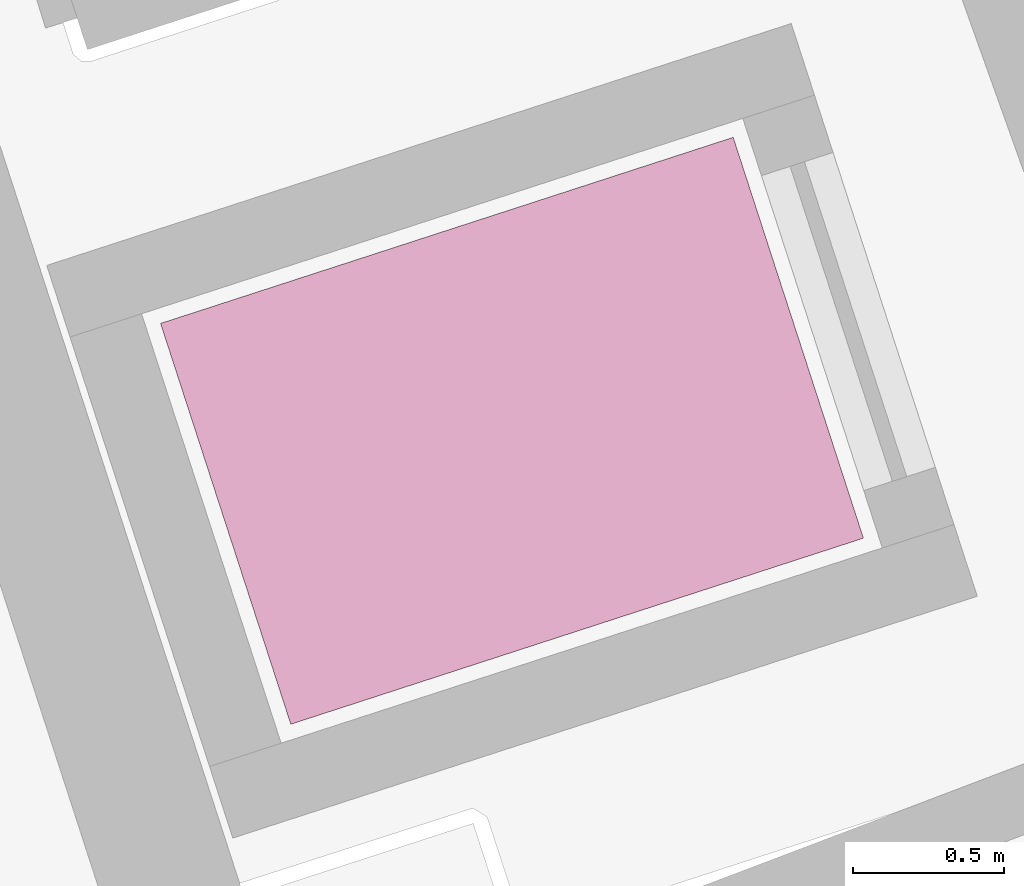
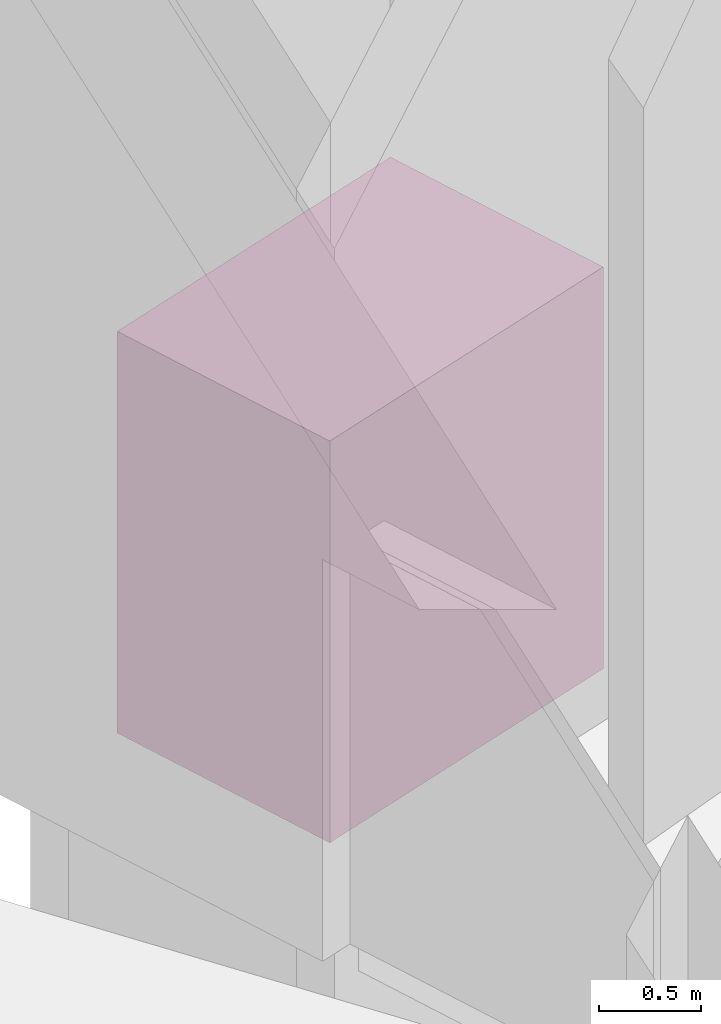
# One storey, part 72 of 72: 1 transport element.
"""IFC4 building model written with IfcOpenShell, lengths in metres."""

from ifc_helpers import new_model, si_unit, direction, frame, origin, origin_2d, place, context, subcontext, project, spatial, rectangle, extrude, material, type_object, element, save


model = new_model("IFC4")

# Units and contexts
model_context = context("Model", 3, precision=1e-05, world=origin(), true_north=direction((0.0, 1.0)))
body_context = subcontext(model_context, "Body", "Model", "MODEL_VIEW")
ifc_project = project(units=[si_unit("LENGTHUNIT", "METRE"), si_unit("AREAUNIT", "SQUARE_METRE"), si_unit("VOLUMEUNIT", "CUBIC_METRE"), si_unit("PLANEANGLEUNIT", "RADIAN"), si_unit("MASSUNIT", "GRAM", prefix="KILO")], contexts=[model_context])

# Site, building, storey
site_placement = place(None, origin())
site = spatial("IfcSite", under=ifc_project, at=site_placement, CompositionType="ELEMENT")
building_placement = place(site_placement, origin())
building = spatial("IfcBuilding", under=site, at=building_placement, Name="Tuart Plaza Theatre", CompositionType="ELEMENT")
storey_placement = place(building_placement, origin())
storey = spatial("IfcBuildingStorey", under=building, at=storey_placement, Name="L00", CompositionType="ELEMENT", Elevation=0.0)

# Transport element
ifc_material = material(Name="Steel Grade 300", Category="steel")
transport_element_type = type_object("IfcTransportElementType", Name="LIFT CAR 2000x1400", PredefinedType="ELEVATOR", material=ifc_material)
transport_element_placement = place(storey_placement, frame((73.693359375, 67.94140625, 0.0), z_axis=(0.0, 0.0, 1.0), x_axis=(0.951056516295, 0.309016994375, 0.0)))
element("IfcTransportElement", 1, at=transport_element_placement, inside=storey, type_object=transport_element_type, Name="LA-3", PredefinedType="ELEVATOR", context=body_context, shape_type="SweptSolid", body=[
    extrude(rectangle(XDim=2.0, YDim=1.39990234375, at=origin_2d()), origin(), (0.0, 0.0, 1.0), 2.39990234375),
])

save(model, "model.ifc")
